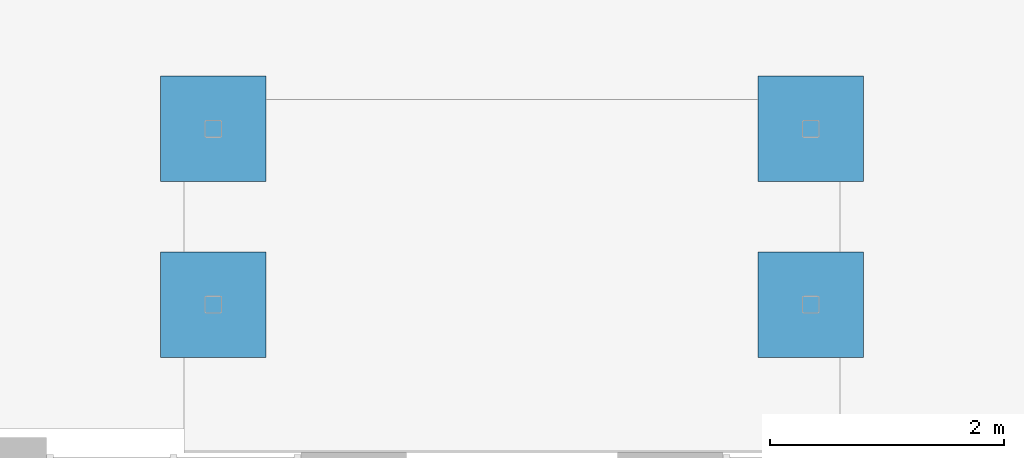
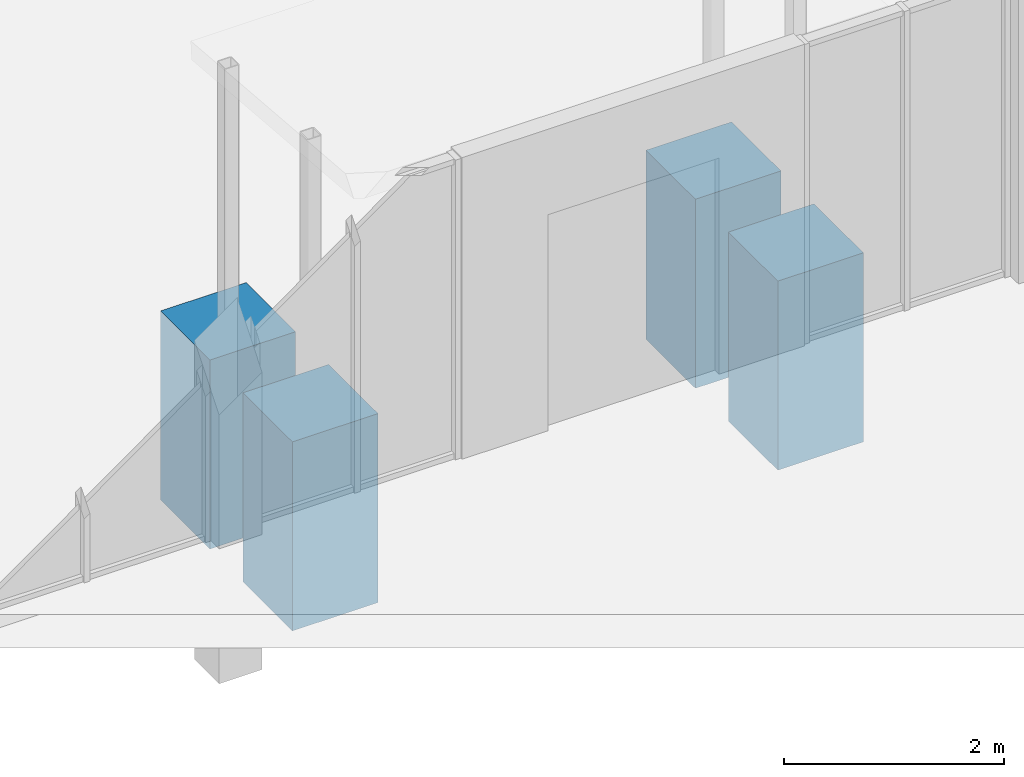
# One storey, part 1 of 101: 4 footings.
"""IFC4 building model written with IfcOpenShell, lengths in metres."""

import ifcopenshell
import ifcopenshell.guid

model = None  # the IFC model being written
_history = None  # IfcOwnerHistory: only IFC2X3 demands one
_inside = {}  # id of a spatial element -> (the spatial element, [elements in it])
_under = {}  # id of a project, library or spatial element -> (it, [spatial elements below it])
_declared = {}  # id of a project -> (the project, [libraries it declares])
_typed = {}  # id of a type object -> (the type object, [elements of that type])
_made_of = {}  # id of a material, layer set ... -> (it, [elements and type objects made of it])


def new_model(schema):
    """Start an empty IFC model of exactly this schema.

    Asked for "IFC4X3", IfcOpenShell would pick the latest addendum, in which some entities
    have other attributes; the version numbers below select the first issue.
    IFC2X3 requires an IfcOwnerHistory on every rooted entity: one is made here for all.
    """
    global model, _history
    if schema == "IFC4X3":
        model = ifcopenshell.file(schema_version=(4, 3, 0, 0))
    else:
        model = ifcopenshell.file(schema=schema)
    _inside.clear()
    _under.clear()
    _declared.clear()
    _typed.clear()
    _made_of.clear()
    _history = None
    if model.schema == "IFC2X3":
        org = make("IfcOrganization", Name="unknown")
        user = make(
            "IfcPersonAndOrganization",
            ThePerson=make("IfcPerson", FamilyName="unknown"),
            TheOrganization=org,
        )
        app = make(
            "IfcApplication",
            ApplicationDeveloper=org,
            Version="unknown",
            ApplicationFullName="unknown",
            ApplicationIdentifier="unknown",
        )
        _history = make(
            "IfcOwnerHistory",
            OwningUser=user,
            OwningApplication=app,
            ChangeAction="ADDED",
            CreationDate=0,
        )
    return model


def make(cls, **values):
    """One entity of the class cls with the attributes given. An attribute that is None is left unset."""
    return model.create_entity(
        cls, **{name: value for name, value in values.items() if value is not None}
    )


def rooted(cls, **values):
    """An entity with a GlobalId (a new one), such as an element, a storey or a relation."""
    return make(cls, GlobalId=ifcopenshell.guid.new(), OwnerHistory=_history, **values)


def si_unit(unit_type, name, prefix=None):
    """IfcSIUnit, for example si_unit("LENGTHUNIT", "METRE", prefix="MILLI")."""
    return make("IfcSIUnit", UnitType=unit_type, Prefix=prefix, Name=name)


def assignment(units):
    """IfcUnitAssignment: the units of a project."""
    return None if units is None else make("IfcUnitAssignment", Units=units)


def point(xyz):
    """IfcCartesianPoint."""
    return None if xyz is None else make("IfcCartesianPoint", Coordinates=xyz)


def direction(xyz):
    """IfcDirection."""
    return None if xyz is None else make("IfcDirection", DirectionRatios=xyz)


def frame(location, z_axis=None, x_axis=None):
    """IfcAxis2Placement3D, a coordinate frame: its origin and axes. An axis left out is left unset."""
    return make(
        "IfcAxis2Placement3D",
        Location=point(location),
        Axis=direction(z_axis),
        RefDirection=direction(x_axis),
    )


def frame_2d(location, x_axis=None):
    """IfcAxis2Placement2D, a coordinate frame in the plane: its origin and x axis."""
    return make(
        "IfcAxis2Placement2D", Location=point(location), RefDirection=direction(x_axis)
    )


def origin():
    """The frame at (0, 0, 0) with its axes left unset."""
    return frame((0.0, 0.0, 0.0))


def origin_2d():
    """The frame at (0, 0) in the plane with its x axis left unset."""
    return frame_2d((0.0, 0.0))


def place(relative_to, where):
    """IfcLocalPlacement: puts the frame where relative to a parent placement (None: the world)."""
    return make(
        "IfcLocalPlacement", PlacementRelTo=relative_to, RelativePlacement=where
    )


def context(
    kind, dimensions, precision=None, world=None, true_north=None, identifier=None
):
    """IfcGeometricRepresentationContext, for example the 3D "Model" context."""
    return make(
        "IfcGeometricRepresentationContext",
        ContextIdentifier=identifier,
        ContextType=kind,
        CoordinateSpaceDimension=dimensions,
        Precision=precision,
        WorldCoordinateSystem=world,
        TrueNorth=true_north,
    )


def subcontext(parent, identifier, kind, view, scale=None):
    """IfcGeometricRepresentationSubContext, for example "Body" below "Model"."""
    return make(
        "IfcGeometricRepresentationSubContext",
        ContextIdentifier=identifier,
        ContextType=kind,
        ParentContext=parent,
        TargetScale=scale,
        TargetView=view,
    )


def project(units=None, contexts=None):
    """IfcProject with its units and contexts."""
    return rooted(
        "IfcProject",
        Name="project",
        RepresentationContexts=contexts,
        UnitsInContext=assignment(units),
    )


def spatial(cls, under=None, at=None, **own):
    """A site, building, storey or space (cls), placed at a placement, below another one or the project."""
    s = rooted(cls, ObjectPlacement=at, **own)
    if under is not None:
        _under.setdefault(under.id(), (under, []))[1].append(s)
    return s


def profile(cls, at=None, kind="AREA", **sizes):
    """A parametric profile (cls). Its sizes go by their IFC names, for example OverallWidth=200.0."""
    return make(cls, ProfileType=kind, Position=at, **sizes)


def rectangle(**sizes):
    """IfcRectangleProfileDef."""
    return profile("IfcRectangleProfileDef", **sizes)


def extrude(swept, where, along, depth):
    """IfcExtrudedAreaSolid: the profile swept, set in the frame where, extruded along a direction by depth."""
    return make(
        "IfcExtrudedAreaSolid",
        SweptArea=swept,
        Position=where,
        ExtrudedDirection=direction(along),
        Depth=depth,
    )


def shape(context_of_items, identifier, shape_type, items):
    """IfcShapeRepresentation: the items that make up one representation, for example the "Body"."""
    return make(
        "IfcShapeRepresentation",
        ContextOfItems=context_of_items,
        RepresentationIdentifier=identifier,
        RepresentationType=shape_type,
        Items=items,
    )


def material(Name=None, Category=None):
    """IfcMaterial."""
    return make("IfcMaterial", Name=Name, Category=Category)


def made_of(thing, what):
    """Note that an element or type object is made of a material, layer set ...; save() writes the relation."""
    if what is not None:
        _made_of.setdefault(what.id(), (what, []))[1].append(thing)
    return thing


def type_object(cls, material=None, **own):
    """A type object (cls), such as IfcWallType, which elements share."""
    return made_of(rooted(cls, **own), material)


def element(
    cls,
    number,
    at=None,
    inside=None,
    cuts=None,
    type_object=None,
    material=None,
    context=None,
    identifier="Body",
    shape_type=None,
    held_by="IfcProductDefinitionShape",
    body=None,
    shapes=None,
    **own,
):
    """One element of the class cls, such as IfcWall. Its Tag is "e" and its number.

    at: its placement. inside: the storey or other place that contains it. cuts: it is an
    opening in that element (IfcRelVoidsElement). A single representation is given by context,
    identifier, shape_type and body (its items); several are given by shapes. held_by: the class
    of the entity that holds the representations. save() writes the other relations.
    """
    e = rooted(cls, Tag="e%d" % number, ObjectPlacement=at, **own)
    if body is not None:
        shapes = [shape(context, identifier, shape_type, body)]
    if shapes is not None:
        e.Representation = make(held_by, Representations=shapes)
    if inside is not None:
        _inside.setdefault(inside.id(), (inside, []))[1].append(e)
    if cuts is not None:
        rooted(
            "IfcRelVoidsElement", RelatingBuildingElement=cuts, RelatedOpeningElement=e
        )
    if type_object is not None:
        _typed.setdefault(type_object.id(), (type_object, []))[1].append(e)
    return made_of(e, material)


def aggregate(whole, parts):
    """IfcRelAggregates: a whole, such as a stair, and the parts it consists of."""
    return rooted("IfcRelAggregates", RelatingObject=whole, RelatedObjects=parts)


def save(model, path):
    """Write the relations noted so far, then the file.

    IfcRelAggregates (storeys below a building ...), IfcRelContainedInSpatialStructure (elements
    in a storey), IfcRelDefinesByType, IfcRelAssociatesMaterial and IfcRelDeclares: one each for
    every whole, place, type object, material and project.
    """
    for whole, parts in _under.values():
        aggregate(whole, parts)
    for where, things in _inside.values():
        rooted(
            "IfcRelContainedInSpatialStructure",
            RelatedElements=things,
            RelatingStructure=where,
        )
    for kind, things in _typed.values():
        rooted("IfcRelDefinesByType", RelatedObjects=things, RelatingType=kind)
    for what, things in _made_of.values():
        rooted("IfcRelAssociatesMaterial", RelatedObjects=things, RelatingMaterial=what)
    for by, libraries in _declared.values():
        rooted("IfcRelDeclares", RelatingContext=by, RelatedDefinitions=libraries)
    model.write(path)


model = new_model("IFC4")

# Units and contexts
model_context = context("Model", 3, precision=1e-05, world=origin(), true_north=direction((0.0, 1.0)))
body_context = subcontext(model_context, "Body", "Model", "MODEL_VIEW")
ifc_project = project(units=[si_unit("LENGTHUNIT", "METRE"), si_unit("AREAUNIT", "SQUARE_METRE"), si_unit("VOLUMEUNIT", "CUBIC_METRE"), si_unit("PLANEANGLEUNIT", "RADIAN"), si_unit("MASSUNIT", "GRAM", prefix="KILO")], contexts=[model_context])

# Site, building, storey
site_placement = place(None, origin())
site = spatial("IfcSite", under=ifc_project, at=site_placement, CompositionType="ELEMENT")
building_placement = place(site_placement, origin())
building = spatial("IfcBuilding", under=site, at=building_placement, Name="Fescue Hill Polytechnic", CompositionType="ELEMENT")
storey_placement = place(building_placement, frame((0.0, 0.0, 9.0)))
storey = spatial("IfcBuildingStorey", under=building, at=storey_placement, Name="L02", CompositionType="ELEMENT", Elevation=9.0)

# Footings
ifc_material = material(Name="Concrete 35 MPa", Category="concrete")
footing_type = type_object("IfcFootingType", Name="Canopy pad footing 900x900x2100", PredefinedType="PAD_FOOTING", material=ifc_material)
for number, where, z_axis, x_axis, name in (
    (1, (31.949951171875, 135.760009765625, -2.10009765625), (0.0, 0.0, 1.0), (-1.0, 0.0, 0.0), "Canopy pad footing V5"),
    (2, (31.949951171875, 137.260009765625, -2.10009765625), (0.0, 0.0, 1.0), (-1.0, 0.0, 0.0), "Canopy pad footing V5"),
    (3, (26.85009765625, 135.760009765625, -2.10009765625), (0.0, 0.0, 1.0), (-1.0, 0.0, 0.0), "Canopy pad footing V5"),
    (4, (26.85009765625, 137.260009765625, -2.10009765625), (0.0, 0.0, 1.0), (-1.0, 0.0, 0.0), "Canopy pad footing V5"),
):
    element("IfcFooting", number, at=place(storey_placement, frame(where, z_axis=z_axis, x_axis=x_axis)), inside=storey, type_object=footing_type, Name=name, PredefinedType="PAD_FOOTING", context=body_context, shape_type="SweptSolid", body=[
        extrude(rectangle(XDim=0.89990234375, YDim=0.89990234375, at=origin_2d()), origin(), (0.0, 0.0, 1.0), 2.10009765625),
    ])

save(model, "model.ifc")
